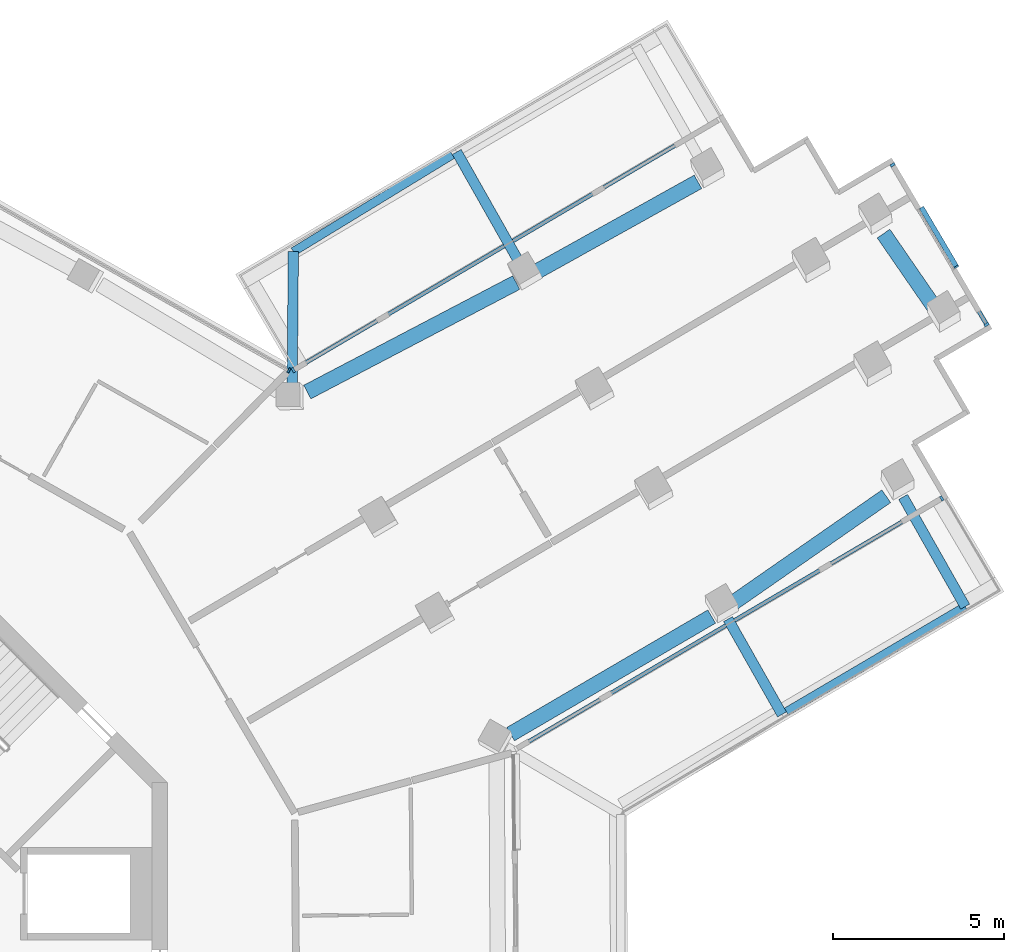
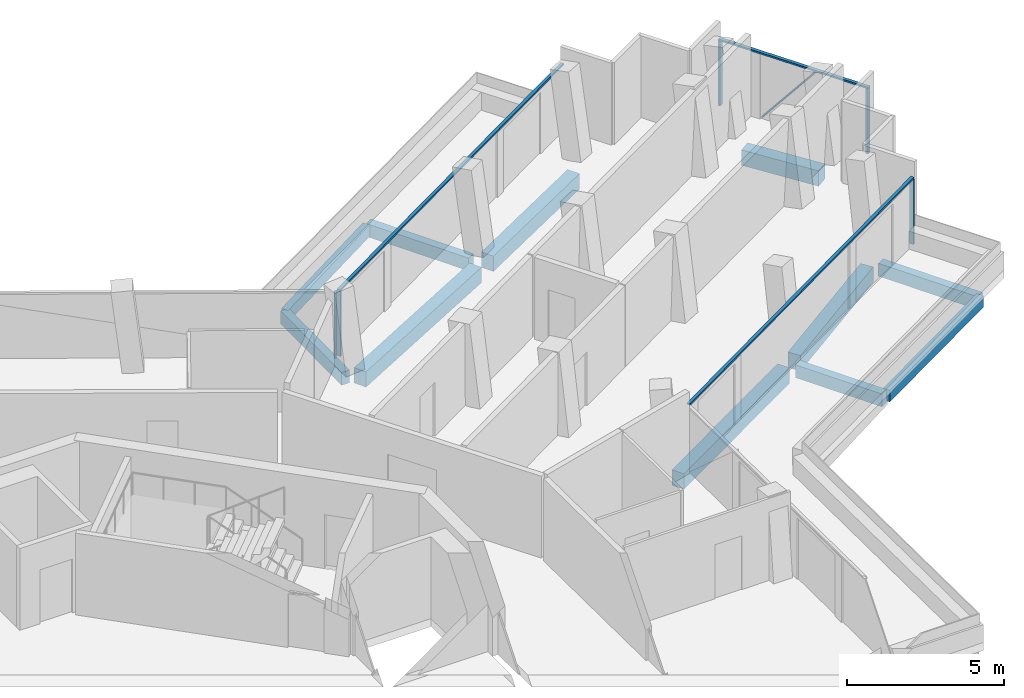
# One storey, part 10 of 26: 11 beams, 9 members, 4 elements without a shape of their own.
"""IFC4 building model written with IfcOpenShell, lengths in metres."""

from ifc_helpers import new_model, si_unit, direction, frame, origin, origin_2d, place, context, subcontext, project, spatial, rectangle, extrude, material, layer, layer_set, material_profile, profile_set, type_object, element, aggregate, save


model = new_model("IFC4")

# Units and contexts
model_context = context("Model", 3, precision=1e-05, world=origin(), true_north=direction((0.0, 1.0)))
body_context = subcontext(model_context, "Body", "Model", "MODEL_VIEW")
ifc_project = project(units=[si_unit("LENGTHUNIT", "METRE"), si_unit("AREAUNIT", "SQUARE_METRE"), si_unit("VOLUMEUNIT", "CUBIC_METRE"), si_unit("PLANEANGLEUNIT", "RADIAN"), si_unit("MASSUNIT", "GRAM", prefix="KILO")], contexts=[model_context])

# Site, building, storey
site_placement = place(None, origin())
site = spatial("IfcSite", under=ifc_project, at=site_placement, CompositionType="ELEMENT")
building_placement = place(site_placement, origin())
building = spatial("IfcBuilding", under=site, at=building_placement, Name="Verdalira Terraces Hotel", CompositionType="ELEMENT")
storey_placement = place(building_placement, frame((0.0, 0.0, 281.0)))
storey = spatial("IfcBuildingStorey", under=building, at=storey_placement, Name="L69", CompositionType="ELEMENT", Elevation=281.0)

# Beams
ifc_material_1 = material(Name="Concrete C40", Category="concrete")
ifc_material_profile_1 = material_profile(ifc_material_1, rectangle(XDim=0.300049, YDim=0.5, at=origin_2d()), Name="RC 300X500")
ifc_profile_set_1 = profile_set([ifc_material_profile_1], Name="Concrete C40")
beam_type_1 = type_object("IfcBeamType", Name="Balcony cantilever beam RC 300X500 C40", PredefinedType="BEAM", material=ifc_profile_set_1)
beam_1_placement = place(storey_placement, frame((30.389648, 10.580566, -0.560059), z_axis=(0.492762622, -0.870163777, 0.0), x_axis=(0.870163777, 0.492762622, 0.0)))
element("IfcBeam", 1, at=beam_1_placement, inside=storey, type_object=beam_type_1, Name="Balcony cantilever beam R27-4", PredefinedType="BEAM", context=body_context, shape_type="SweptSolid", body=[
    extrude(rectangle(XDim=0.300049, YDim=0.5, at=origin_2d()), origin(), (0.0, 0.0, 1.0), 3.204102),
])
beam_2_placement = place(storey_placement, frame((35.509766, 14.1521, -0.560059), z_axis=(0.492781871, -0.870152876, 0.0), x_axis=(0.870152876, 0.492781871, 0.0)))
element("IfcBeam", 2, at=beam_2_placement, inside=storey, type_object=beam_type_1, Name="Balcony cantilever beam R27-5", PredefinedType="BEAM", context=body_context, shape_type="SweptSolid", body=[
    extrude(rectangle(XDim=0.300049, YDim=0.5, at=origin_2d()), origin(), (0.0, 0.0, 1.0), 3.685059),
])
beam_3_placement = place(storey_placement, frame((24.327637, 20.936279, -0.560059), z_axis=(-0.492728669, 0.870183003, 0.0), x_axis=(-0.870183003, -0.492728669, 0.0)))
element("IfcBeam", 3, at=beam_3_placement, inside=storey, type_object=beam_type_1, Name="Balcony cantilever beam R38-2", PredefinedType="BEAM", context=body_context, shape_type="SweptSolid", body=[
    extrude(rectangle(XDim=0.300049, YDim=0.5, at=origin_2d()), origin(), (0.0, 0.0, 1.0), 3.797363),
])
beam_4_placement = place(storey_placement, frame((17.644043, 17.375732, -0.560059), z_axis=(0.008406181, 0.999964667, 0.0), x_axis=(-0.999964667, 0.008406181, 0.0)))
element("IfcBeam", 4, at=beam_4_placement, inside=storey, type_object=beam_type_1, Name="Balcony cantilever beam R38-3", PredefinedType="BEAM", context=body_context, shape_type="SweptSolid", body=[
    extrude(rectangle(XDim=0.300049, YDim=0.5, at=origin_2d()), origin(), (0.0, 0.0, 1.0), 3.949951),
])
ifc_material_2 = material(Name="Concrete C40", Category="concrete")
ifc_material_profile_2 = material_profile(ifc_material_2, rectangle(XDim=0.25, YDim=0.449951, at=origin_2d()), Name="RC 250X450")
ifc_profile_set_2 = profile_set([ifc_material_profile_2], Name="Concrete C40")
beam_type_2 = type_object("IfcBeamType", Name="Balcony edge beam RC 250X450 C40", PredefinedType="BEAM", material=ifc_profile_set_2)
beam_5_placement = place(storey_placement, frame((32.097656, 7.868408, -0.534912), z_axis=(0.861801761, 0.507245232, 0.0), x_axis=(-0.507245232, 0.861801761, 0.0)))
element("IfcBeam", 5, at=beam_5_placement, inside=storey, type_object=beam_type_2, Name="Balcony edge beam R27-4", PredefinedType="BEAM", context=body_context, shape_type="SweptSolid", body=[
    extrude(rectangle(XDim=0.25, YDim=0.449951, at=origin_2d()), origin(), (0.0, 0.0, 1.0), 6.066406),
])
beam_6_placement = place(storey_placement, frame((22.328369, 24.162598, -0.534912), z_axis=(-0.853705801, -0.52075561, 0.0), x_axis=(0.52075561, -0.853705801, 0.0)))
element("IfcBeam", 6, at=beam_6_placement, inside=storey, type_object=beam_type_2, Name="Balcony edge beam R38-2", PredefinedType="BEAM", context=body_context, shape_type="SweptSolid", body=[
    extrude(rectangle(XDim=0.25, YDim=0.449951, at=origin_2d()), origin(), (0.0, 0.0, 1.0), 5.448242),
])

# Curtain wall, member
ifc_material_3 = material(Name="Clear glass", Category="glass")
ifc_layer_1 = layer(ifc_material_3, 0.14990234375)
ifc_layer_set_1 = layer_set([ifc_layer_1], Name="CW1 curtain wall")
curtain_wall_type_1 = type_object("IfcCurtainWallType", Name="CW1 curtain wall", PredefinedType="NOTDEFINED", material=ifc_layer_set_1)
curtain_wall_1_placement = place(storey_placement, origin())
curtain_wall_1 = element("IfcCurtainWall", 7, at=curtain_wall_1_placement, inside=storey, type_object=curtain_wall_type_1, Name="CW1 curtain wall L69 edge 39", PredefinedType="NOTDEFINED")
ifc_material_4 = material(Name="Terracotta frame", Category="masonry")
ifc_material_profile_3 = material_profile(ifc_material_4, rectangle(XDim=0.060059, YDim=0.149902, at=origin_2d()), Name="MU 60x150")
ifc_profile_set_3 = profile_set([ifc_material_profile_3], Name="Terracotta frame")
member_type_1 = type_object("IfcMemberType", Name="CW1 mullion 60x150", PredefinedType="MULLION", material=ifc_profile_set_3)
member_1_placement = place(storey_placement, frame((17.545898, 17.855957, 0.0), z_axis=(0.0, 0.0, 1.0), x_axis=(-0.870183755, 0.492727342, 0.0)))
member_1 = element("IfcMember", 8, at=member_1_placement, type_object=member_type_1, Name="CW1 mullion", PredefinedType="MULLION", context=body_context, shape_type="SweptSolid", body=[
    extrude(rectangle(XDim=0.060059, YDim=0.149902, at=origin_2d()), origin(), (0.0, 0.0, 1.0), 2.524902),
])
aggregate(curtain_wall_1, [member_1])

ifc_material_5 = material(Name="Clear glass", Category="glass")
ifc_layer_2 = layer(ifc_material_5, 0.14990234375)
ifc_layer_set_2 = layer_set([ifc_layer_2], Name="CW2 curtain wall")
curtain_wall_type_2 = type_object("IfcCurtainWallType", Name="CW2 curtain wall", PredefinedType="NOTDEFINED", material=ifc_layer_set_2)
curtain_wall_2_placement = place(storey_placement, origin())
curtain_wall_2 = element("IfcCurtainWall", 9, at=curtain_wall_2_placement, inside=storey, type_object=curtain_wall_type_2, Name="CW2 curtain wall L69 edge 28", PredefinedType="NOTDEFINED")
ifc_material_6 = material(Name="Terracotta frame", Category="masonry")
ifc_material_profile_4 = material_profile(ifc_material_6, rectangle(XDim=0.070068, YDim=0.149902, at=origin_2d()), Name="MU 70x150")
ifc_profile_set_4 = profile_set([ifc_material_profile_4], Name="Terracotta frame")
member_type_2 = type_object("IfcMemberType", Name="CW2 mullion 70x150", PredefinedType="MULLION", material=ifc_profile_set_4)
member_2_placement = place(storey_placement, frame((36.639648, 14.109863, 0.0), z_axis=(0.0, 0.0, 1.0), x_axis=(0.861806272, 0.507237567, 0.0)))
member_2 = element("IfcMember", 10, at=member_2_placement, type_object=member_type_2, Name="CW2 mullion", PredefinedType="MULLION", context=body_context, shape_type="SweptSolid", body=[
    extrude(rectangle(XDim=0.070068, YDim=0.149902, at=origin_2d()), origin(), (0.0, 0.0, 1.0), 2.524902),
])

curtain_wall_3_placement = place(storey_placement, origin())
curtain_wall_3 = element("IfcCurtainWall", 11, at=curtain_wall_3_placement, inside=storey, type_object=curtain_wall_type_2, Name="CW2 curtain wall L69 edge 38", PredefinedType="NOTDEFINED")
member_3_placement = place(storey_placement, frame((17.677246, 17.859619, 0.0), z_axis=(0.0, 0.0, 1.0), x_axis=(-0.861806272, -0.507237567, 0.0)))
member_3 = element("IfcMember", 12, at=member_3_placement, type_object=member_type_2, Name="CW2 mullion", PredefinedType="MULLION", context=body_context, shape_type="SweptSolid", body=[
    extrude(rectangle(XDim=0.070068, YDim=0.149902, at=origin_2d()), origin(), (0.0, 0.0, 1.0), 2.524902),
])

# Member
ifc_material_7 = material(Name="Terracotta frame", Category="masonry")
ifc_material_profile_5 = material_profile(ifc_material_7, rectangle(XDim=0.11499, YDim=0.064941, at=origin_2d()), Name="TR 65x115")
ifc_profile_set_5 = profile_set([ifc_material_profile_5], Name="Terracotta frame")
member_type_3 = type_object("IfcMemberType", Name="CW2 transom 65x115", PredefinedType="USERDEFINED", material=ifc_profile_set_5)
member_4_placement = place(storey_placement, frame((24.165039, 6.767578, 2.557617), z_axis=(0.86180486, 0.507239967, 0.0), x_axis=(-0.507239967, 0.86180486, 0.0)))
member_4 = element("IfcMember", 13, at=member_4_placement, type_object=member_type_3, Name="CW2 transom", ObjectType="TRANSOM", PredefinedType="USERDEFINED", context=body_context, shape_type="SweptSolid", body=[
    extrude(rectangle(XDim=0.11499, YDim=0.064941, at=origin_2d()), origin(), (0.0, 0.0, 1.0), 14.51001),
])

aggregate(curtain_wall_2, [member_2, member_4])

member_5_placement = place(storey_placement, frame((30.151855, 25.201904, 2.557617), z_axis=(-0.86180486, -0.507239967, 0.0), x_axis=(0.507239967, -0.86180486, 0.0)))
member_5 = element("IfcMember", 14, at=member_5_placement, type_object=member_type_3, Name="CW2 transom", ObjectType="TRANSOM", PredefinedType="USERDEFINED", context=body_context, shape_type="SweptSolid", body=[
    extrude(rectangle(XDim=0.11499, YDim=0.064941, at=origin_2d()), origin(), (0.0, 0.0, 1.0), 14.51001),
])

aggregate(curtain_wall_3, [member_3, member_5])

# Curtain wall, members
ifc_material_8 = material(Name="Clear glass", Category="glass")
ifc_layer_3 = layer(ifc_material_8, 0.14990234375)
ifc_layer_set_3 = layer_set([ifc_layer_3], Name="CW3 curtain wall")
curtain_wall_type_3 = type_object("IfcCurtainWallType", Name="CW3 curtain wall", PredefinedType="NOTDEFINED", material=ifc_layer_set_3)
curtain_wall_4_placement = place(storey_placement, origin())
curtain_wall_4 = element("IfcCurtainWall", 15, at=curtain_wall_4_placement, inside=storey, type_object=curtain_wall_type_3, Name="CW3 curtain wall L69 edge 33", PredefinedType="NOTDEFINED")
ifc_material_9 = material(Name="Terracotta frame", Category="masonry")
ifc_material_profile_6 = material_profile(ifc_material_9, rectangle(XDim=0.080078, YDim=0.149902, at=origin_2d()), Name="MU 80x150")
ifc_profile_set_6 = profile_set([ifc_material_profile_6], Name="Terracotta frame")
member_type_4 = type_object("IfcMemberType", Name="CW3 mullion 80x150", PredefinedType="MULLION", material=ifc_profile_set_6)
member_6_placement = place(storey_placement, frame((37.952637, 19.193359, 0.0), z_axis=(0.0, 0.0, 1.0), x_axis=(-0.507237567, 0.861806272, 0.0)))
member_6 = element("IfcMember", 16, at=member_6_placement, type_object=member_type_4, Name="CW3 mullion", PredefinedType="MULLION", context=body_context, shape_type="SweptSolid", body=[
    extrude(rectangle(XDim=0.080078, YDim=0.149902, at=origin_2d()), origin(), (0.0, 0.0, 1.0), 2.524902),
])
member_7_placement = place(storey_placement, frame((35.203369, 23.864502, 0.0), z_axis=(0.0, 0.0, 1.0), x_axis=(-0.507237567, 0.861806272, 0.0)))
member_7 = element("IfcMember", 17, at=member_7_placement, type_object=member_type_4, Name="CW3 mullion", PredefinedType="MULLION", context=body_context, shape_type="SweptSolid", body=[
    extrude(rectangle(XDim=0.080078, YDim=0.149902, at=origin_2d()), origin(), (0.0, 0.0, 1.0), 2.524902),
])
ifc_material_10 = material(Name="Terracotta frame", Category="masonry")
ifc_material_profile_7 = material_profile(ifc_material_10, rectangle(XDim=0.120117, YDim=0.064941, at=origin_2d()), Name="TR 65x120")
ifc_profile_set_7 = profile_set([ifc_material_profile_7], Name="Terracotta frame")
member_type_5 = type_object("IfcMemberType", Name="CW3 transom 65x120", PredefinedType="USERDEFINED", material=ifc_profile_set_7)
member_8_placement = place(storey_placement, frame((37.9729, 19.158936, 2.557617), z_axis=(-0.507231557, 0.861809809, 0.0), x_axis=(-0.861809809, -0.507231557, 0.0)))
member_8 = element("IfcMember", 18, at=member_8_placement, type_object=member_type_5, Name="CW3 transom", ObjectType="TRANSOM", PredefinedType="USERDEFINED", context=body_context, shape_type="SweptSolid", body=[
    extrude(rectangle(XDim=0.120117, YDim=0.064941, at=origin_2d()), origin(), (0.0, 0.0, 1.0), 5.5),
])
ifc_material_11 = material(Name="Terracotta frame", Category="masonry")
ifc_material_profile_8 = material_profile(ifc_material_11, rectangle(XDim=0.149902, YDim=0.060059, at=origin_2d()), Name="GB 60x150")
ifc_profile_set_8 = profile_set([ifc_material_profile_8], Name="Terracotta frame")
member_type_6 = type_object("IfcMemberType", Name="Diagonal glazing bar 60x150", PredefinedType="USERDEFINED", material=ifc_profile_set_8)
member_9_placement = place(storey_placement, frame((37.067139, 20.881104, 2.494629), z_axis=(-0.318849012, 0.541765927, -0.777704949), x_axis=(-0.861820757, -0.507212956, 0.0)))
member_9 = element("IfcMember", 19, at=member_9_placement, type_object=member_type_6, Name="Diagonal glazing bar", ObjectType="GLAZING BAR", PredefinedType="USERDEFINED", context=body_context, shape_type="SweptSolid", body=[
    extrude(rectangle(XDim=0.149902, YDim=0.060059, at=origin_2d()), origin(), (0.0, 0.0, 1.0), 3.168457),
])
aggregate(curtain_wall_4, [member_6, member_7, member_8, member_9])

# Beams
ifc_material_12 = material(Name="Concrete C40", Category="concrete")
ifc_material_profile_9 = material_profile(ifc_material_12, rectangle(XDim=0.449951, YDim=0.600098, at=origin_2d()), Name="RC 450X600")
ifc_profile_set_9 = profile_set([ifc_material_profile_9], Name="Concrete C40")
beam_type_3 = type_object("IfcBeamType", Name="Spandrel beam RC 450X600 C40", PredefinedType="SPANDREL", material=ifc_profile_set_9)
beam_7_placement = place(storey_placement, frame((24.03125, 7.21582, -0.610107), z_axis=(0.863262441, 0.504755344, 0.0), x_axis=(-0.504755344, 0.863262441, 0.0)))
element("IfcBeam", 20, at=beam_7_placement, inside=storey, type_object=beam_type_3, Name="Spandrel beam B19", PredefinedType="SPANDREL", context=body_context, shape_type="SweptSolid", body=[
    extrude(rectangle(XDim=0.449951, YDim=0.600098, at=origin_2d()), origin(), (0.0, 0.0, 1.0), 6.812744),
])
beam_8_placement = place(storey_placement, frame((30.531494, 11.05127, -0.610107), z_axis=(0.820840547, 0.571157418, 0.0), x_axis=(-0.571157418, 0.820840547, 0.0)))
element("IfcBeam", 21, at=beam_8_placement, inside=storey, type_object=beam_type_3, Name="Spandrel beam B20", PredefinedType="SPANDREL", context=body_context, shape_type="SweptSolid", body=[
    extrude(rectangle(XDim=0.449951, YDim=0.600098, at=origin_2d()), origin(), (0.0, 0.0, 1.0), 5.464844),
])
beam_9_placement = place(storey_placement, frame((36.487549, 19.605713, -0.610107), z_axis=(-0.56765147, 0.823268977, 0.0), x_axis=(-0.823268977, -0.56765147, 0.0)))
element("IfcBeam", 22, at=beam_9_placement, inside=storey, type_object=beam_type_3, Name="Spandrel beam B21", PredefinedType="SPANDREL", context=body_context, shape_type="SweptSolid", body=[
    extrude(rectangle(XDim=0.449951, YDim=0.600098, at=origin_2d()), origin(), (0.0, 0.0, 1.0), 2.730713),
])
beam_10_placement = place(storey_placement, frame((29.510742, 23.367676, -0.610107), z_axis=(-0.873858666, -0.48618004, 0.0), x_axis=(0.48618004, -0.873858666, 0.0)))
element("IfcBeam", 23, at=beam_10_placement, inside=storey, type_object=beam_type_3, Name="Spandrel beam B22", PredefinedType="SPANDREL", context=body_context, shape_type="SweptSolid", body=[
    extrude(rectangle(XDim=0.449951, YDim=0.600098, at=origin_2d()), origin(), (0.0, 0.0, 1.0), 5.363525),
])
beam_11_placement = place(storey_placement, frame((24.195557, 20.420898, -0.610107), z_axis=(-0.885823222, -0.464022864, 0.0), x_axis=(0.464022864, -0.885823222, 0.0)))
element("IfcBeam", 24, at=beam_11_placement, inside=storey, type_object=beam_type_3, Name="Spandrel beam B23", PredefinedType="SPANDREL", context=body_context, shape_type="SweptSolid", body=[
    extrude(rectangle(XDim=0.449951, YDim=0.600098, at=origin_2d()), origin(), (0.0, 0.0, 1.0), 6.898193),
])

save(model, "model.ifc")
